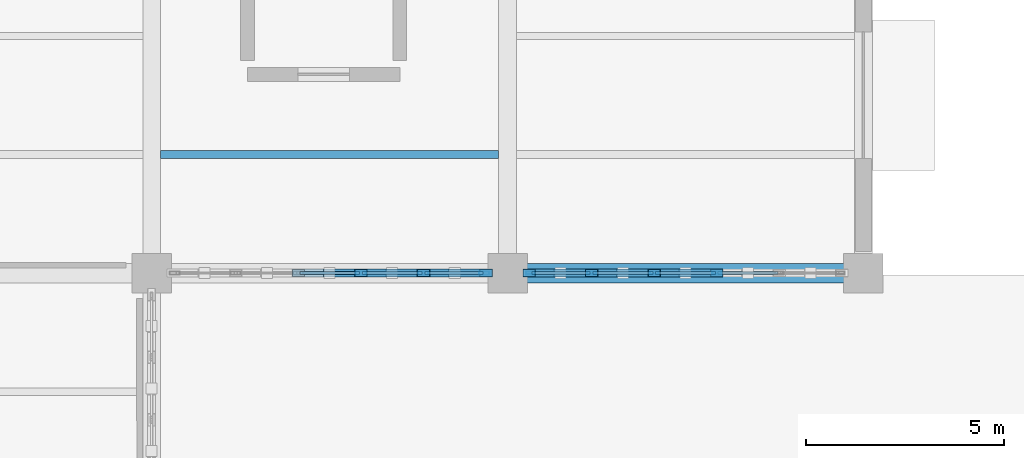
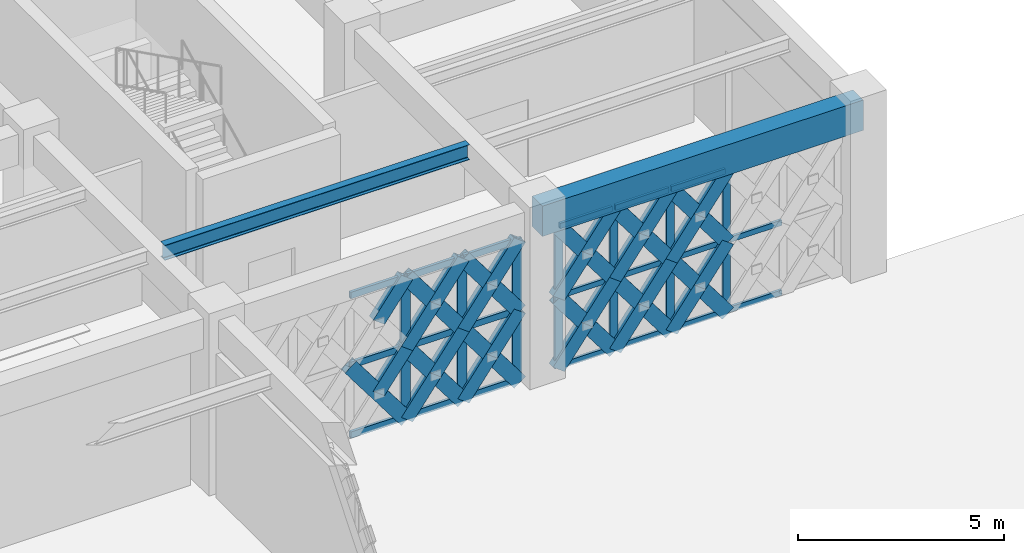
# One storey, part 63 of 140: 60 members, 2 beams, 2 elements without a shape of their own.
"""IFC4 building model written with IfcOpenShell, lengths in metres."""

from ifc_helpers import new_model, si_unit, direction, frame, origin, origin_2d, place, context, subcontext, project, spatial, rectangle, hollow_rectangle, i_section, extrude, material, material_profile, profile_set, type_object, element, aggregate, save


model = new_model("IFC4")

# Units and contexts
model_context = context("Model", 3, precision=1e-05, world=origin(), true_north=direction((0.0, 1.0)))
body_context = subcontext(model_context, "Body", "Model", "MODEL_VIEW")
ifc_project = project(units=[si_unit("LENGTHUNIT", "METRE"), si_unit("AREAUNIT", "SQUARE_METRE"), si_unit("VOLUMEUNIT", "CUBIC_METRE"), si_unit("PLANEANGLEUNIT", "RADIAN"), si_unit("MASSUNIT", "GRAM", prefix="KILO")], contexts=[model_context])

# Site, building, storey
site_placement = place(None, origin())
site = spatial("IfcSite", under=ifc_project, at=site_placement, CompositionType="ELEMENT")
building_placement = place(site_placement, origin())
building = spatial("IfcBuilding", under=site, at=building_placement, Name="Haizhuo Lancet Aquarium", CompositionType="ELEMENT")
storey_placement = place(building_placement, origin())
storey = spatial("IfcBuildingStorey", under=building, at=storey_placement, Name="L00", CompositionType="ELEMENT", Elevation=0.0)

# Beam
ifc_material_1 = material(Name="Concrete C40/50", Category="concrete")
ifc_material_profile_1 = material_profile(ifc_material_1, rectangle(XDim=0.5, YDim=0.89990234375, at=origin_2d()), Name="RC-BM 500x900")
ifc_profile_set_1 = profile_set([ifc_material_profile_1], Name="Concrete C40/50")
beam_type_1 = type_object("IfcBeamType", Name="BM-RC-500x900", PredefinedType="BEAM", material=ifc_profile_set_1)
beam_1_placement = place(storey_placement, frame((18.0, 36.0, 4.669921875), z_axis=(1.0, 0.0, 0.0), x_axis=(0.0, 1.0, 0.0)))
element("IfcBeam", 1, at=beam_1_placement, inside=storey, type_object=beam_type_1, Name="L00 V5 primary girder BM-L00-V5-029", PredefinedType="BEAM", context=body_context, shape_type="SweptSolid", body=[
    extrude(rectangle(XDim=0.5, YDim=0.89990234375, at=origin_2d()), origin(), (0.0, 0.0, 1.0), 9.0),
])

# Curtain wall, members
ifc_material_2 = material(Name="Aluminium 6063-T6", Category="aluminium")
curtain_wall_type = type_object("IfcCurtainWallType", Name="CWD-7910x4220", PredefinedType="NOTDEFINED", material=ifc_material_2)
curtain_wall_1_placement = place(storey_placement, origin())
curtain_wall_1 = element("IfcCurtainWall", 2, at=curtain_wall_1_placement, inside=storey, type_object=curtain_wall_type, Name="L00 curtain wall CW-V5-L00-122", PredefinedType="NOTDEFINED")
ifc_material_profile_2 = material_profile(ifc_material_2, hollow_rectangle(XDim=0.074951171875, YDim=0.219970703125, WallThickness=0.0048828125, at=origin_2d()), Name="ALU-M 75x220x5")
ifc_profile_set_2 = profile_set([ifc_material_profile_2], Name="Aluminium 6063-T6")
member_type_1 = type_object("IfcMemberType", Name="CW-MUL-2", PredefinedType="MULLION", material=ifc_profile_set_2)
member_1_placement = place(storey_placement, frame((23.291015625, 36.0, 0.0), z_axis=(0.0, 0.0, 1.0), x_axis=(0.0, -1.0, 0.0)))
member_1 = element("IfcMember", 3, at=member_1_placement, type_object=member_type_1, Name="CWD-79x42 mullion 3", PredefinedType="MULLION", context=body_context, shape_type="SweptSolid", body=[
    extrude(hollow_rectangle(XDim=0.074951171875, YDim=0.219970703125, WallThickness=0.0048828125, at=origin_2d()), origin(), (0.0, 0.0, 1.0), 4.219970703125),
])
member_2_placement = place(storey_placement, frame((21.708984375, 36.0, 0.0), z_axis=(0.0, 0.0, 1.0), x_axis=(0.0, -1.0, 0.0)))
member_2 = element("IfcMember", 4, at=member_2_placement, type_object=member_type_1, Name="CWD-79x42 mullion 4", PredefinedType="MULLION", context=body_context, shape_type="SweptSolid", body=[
    extrude(hollow_rectangle(XDim=0.074951171875, YDim=0.219970703125, WallThickness=0.0048828125, at=origin_2d()), origin(), (0.0, 0.0, 1.0), 4.219970703125),
])
member_3_placement = place(storey_placement, frame((20.126953125, 36.0, 0.0), z_axis=(0.0, 0.0, 1.0), x_axis=(0.0, -1.0, 0.0)))
member_3 = element("IfcMember", 5, at=member_3_placement, type_object=member_type_1, Name="CWD-79x42 mullion 5", PredefinedType="MULLION", context=body_context, shape_type="SweptSolid", body=[
    extrude(hollow_rectangle(XDim=0.074951171875, YDim=0.219970703125, WallThickness=0.0048828125, at=origin_2d()), origin(), (0.0, 0.0, 1.0), 4.219970703125),
])
member_4_placement = place(storey_placement, frame((18.5830078125, 36.0, 0.0), z_axis=(0.0, 0.0, 1.0), x_axis=(0.0, -1.0, 0.0)))
member_4 = element("IfcMember", 6, at=member_4_placement, type_object=member_type_1, Name="CWD-79x42 mullion 6", PredefinedType="MULLION", context=body_context, shape_type="SweptSolid", body=[
    extrude(hollow_rectangle(XDim=0.074951171875, YDim=0.219970703125, WallThickness=0.0048828125, at=origin_2d()), origin(), (0.0, 0.0, 1.0), 4.219970703125),
])

curtain_wall_2_placement = place(storey_placement, origin())
curtain_wall_2 = element("IfcCurtainWall", 7, at=curtain_wall_2_placement, inside=storey, type_object=curtain_wall_type, Name="L00 curtain wall CW-V5-L00-123", PredefinedType="NOTDEFINED")
ifc_material_profile_3 = material_profile(ifc_material_2, hollow_rectangle(XDim=0.080078125, YDim=0.260009765625, WallThickness=0.0048828125, at=origin_2d()), Name="ALU-M 80x260x5")
ifc_profile_set_3 = profile_set([ifc_material_profile_3], Name="Aluminium 6063-T6")
member_type_2 = type_object("IfcMemberType", Name="CW-MUL-3", PredefinedType="MULLION", material=ifc_profile_set_3)
member_5_placement = place(storey_placement, frame((17.4150390625, 36.0, 0.0), z_axis=(0.0, 0.0, 1.0), x_axis=(0.0, -1.0, 0.0)))
member_5 = element("IfcMember", 8, at=member_5_placement, type_object=member_type_2, Name="CWD-79x42 mullion 1", PredefinedType="MULLION", context=body_context, shape_type="SweptSolid", body=[
    extrude(hollow_rectangle(XDim=0.080078125, YDim=0.260009765625, WallThickness=0.0048828125, at=origin_2d()), origin(), (0.0, 0.0, 1.0), 4.219970703125),
])
member_6_placement = place(storey_placement, frame((15.873046875, 36.0, 0.0), z_axis=(0.0, 0.0, 1.0), x_axis=(0.0, -1.0, 0.0)))
member_6 = element("IfcMember", 9, at=member_6_placement, type_object=member_type_2, Name="CWD-79x42 mullion 2", PredefinedType="MULLION", context=body_context, shape_type="SweptSolid", body=[
    extrude(hollow_rectangle(XDim=0.080078125, YDim=0.260009765625, WallThickness=0.0048828125, at=origin_2d()), origin(), (0.0, 0.0, 1.0), 4.219970703125),
])
member_7_placement = place(storey_placement, frame((14.291015625, 36.0, 0.0), z_axis=(0.0, 0.0, 1.0), x_axis=(0.0, -1.0, 0.0)))
member_7 = element("IfcMember", 10, at=member_7_placement, type_object=member_type_2, Name="CWD-79x42 mullion 3", PredefinedType="MULLION", context=body_context, shape_type="SweptSolid", body=[
    extrude(hollow_rectangle(XDim=0.080078125, YDim=0.260009765625, WallThickness=0.0048828125, at=origin_2d()), origin(), (0.0, 0.0, 1.0), 4.219970703125),
])

# Member
ifc_material_profile_4 = material_profile(ifc_material_2, hollow_rectangle(XDim=0.074951171875, YDim=0.159912109375, WallThickness=0.00390625, at=origin_2d()), Name="ALU-T 75x160x4")
ifc_profile_set_4 = profile_set([ifc_material_profile_4], Name="Aluminium 6063-T6")
member_type_3 = type_object("IfcMemberType", Name="CW-TRN-2", PredefinedType="NOTDEFINED", material=ifc_profile_set_4)
member_8_placement = place(storey_placement, frame((24.8349609375, 36.0, 0.037109375), z_axis=(-1.0, 0.0, 0.0), x_axis=(0.0, -1.0, 0.0)))
member_8 = element("IfcMember", 11, at=member_8_placement, type_object=member_type_3, Name="CWD-79x42 transom 2.1", ObjectType="TRANSOM", PredefinedType="USERDEFINED", context=body_context, shape_type="SweptSolid", body=[
    extrude(hollow_rectangle(XDim=0.074951171875, YDim=0.159912109375, WallThickness=0.00390625, at=origin_2d()), origin(), (0.0, 0.0, 1.0), 1.507080078125),
])

member_9_placement = place(storey_placement, frame((24.8349609375, 36.0, 2.110107421875), z_axis=(-1.0, 0.0, 0.0), x_axis=(0.0, -1.0, 0.0)))
member_9 = element("IfcMember", 12, at=member_9_placement, type_object=member_type_3, Name="CWD-79x42 transom 2.2", ObjectType="TRANSOM", PredefinedType="USERDEFINED", context=body_context, shape_type="SweptSolid", body=[
    extrude(hollow_rectangle(XDim=0.074951171875, YDim=0.159912109375, WallThickness=0.00390625, at=origin_2d()), origin(), (0.0, 0.0, 1.0), 1.507080078125),
])

member_10_placement = place(storey_placement, frame((23.2529296875, 36.0, 0.037109375), z_axis=(-1.0, 0.0, 0.0), x_axis=(0.0, -1.0, 0.0)))
member_10 = element("IfcMember", 13, at=member_10_placement, type_object=member_type_3, Name="CWD-79x42 transom 3.1", ObjectType="TRANSOM", PredefinedType="USERDEFINED", context=body_context, shape_type="SweptSolid", body=[
    extrude(hollow_rectangle(XDim=0.074951171875, YDim=0.159912109375, WallThickness=0.00390625, at=origin_2d()), origin(), (0.0, 0.0, 1.0), 1.5068359375),
])

member_11_placement = place(storey_placement, frame((23.2529296875, 36.0, 2.110107421875), z_axis=(-1.0, 0.0, 0.0), x_axis=(0.0, -1.0, 0.0)))
member_11 = element("IfcMember", 14, at=member_11_placement, type_object=member_type_3, Name="CWD-79x42 transom 3.2", ObjectType="TRANSOM", PredefinedType="USERDEFINED", context=body_context, shape_type="SweptSolid", body=[
    extrude(hollow_rectangle(XDim=0.074951171875, YDim=0.159912109375, WallThickness=0.00390625, at=origin_2d()), origin(), (0.0, 0.0, 1.0), 1.5068359375),
])

member_12_placement = place(storey_placement, frame((23.2529296875, 36.0, 4.18310546875), z_axis=(-1.0, 0.0, 0.0), x_axis=(0.0, -1.0, 0.0)))
member_12 = element("IfcMember", 15, at=member_12_placement, type_object=member_type_3, Name="CWD-79x42 transom 3.3", ObjectType="TRANSOM", PredefinedType="USERDEFINED", context=body_context, shape_type="SweptSolid", body=[
    extrude(hollow_rectangle(XDim=0.074951171875, YDim=0.159912109375, WallThickness=0.00390625, at=origin_2d()), origin(), (0.0, 0.0, 1.0), 1.5068359375),
])

member_13_placement = place(storey_placement, frame((21.672119140625, 36.0, 0.037109375), z_axis=(-1.0, 0.0, 0.0), x_axis=(0.0, -1.0, 0.0)))
member_13 = element("IfcMember", 16, at=member_13_placement, type_object=member_type_3, Name="CWD-79x42 transom 4.1", ObjectType="TRANSOM", PredefinedType="USERDEFINED", context=body_context, shape_type="SweptSolid", body=[
    extrude(hollow_rectangle(XDim=0.074951171875, YDim=0.159912109375, WallThickness=0.00390625, at=origin_2d()), origin(), (0.0, 0.0, 1.0), 1.507080078125),
])

member_14_placement = place(storey_placement, frame((21.672119140625, 36.0, 2.110107421875), z_axis=(-1.0, 0.0, 0.0), x_axis=(0.0, -1.0, 0.0)))
member_14 = element("IfcMember", 17, at=member_14_placement, type_object=member_type_3, Name="CWD-79x42 transom 4.2", ObjectType="TRANSOM", PredefinedType="USERDEFINED", context=body_context, shape_type="SweptSolid", body=[
    extrude(hollow_rectangle(XDim=0.074951171875, YDim=0.159912109375, WallThickness=0.00390625, at=origin_2d()), origin(), (0.0, 0.0, 1.0), 1.507080078125),
])

member_15_placement = place(storey_placement, frame((21.672119140625, 36.0, 4.18310546875), z_axis=(-1.0, 0.0, 0.0), x_axis=(0.0, -1.0, 0.0)))
member_15 = element("IfcMember", 18, at=member_15_placement, type_object=member_type_3, Name="CWD-79x42 transom 4.3", ObjectType="TRANSOM", PredefinedType="USERDEFINED", context=body_context, shape_type="SweptSolid", body=[
    extrude(hollow_rectangle(XDim=0.074951171875, YDim=0.159912109375, WallThickness=0.00390625, at=origin_2d()), origin(), (0.0, 0.0, 1.0), 1.507080078125),
])

member_16_placement = place(storey_placement, frame((20.090087890625, 36.0, 0.037109375), z_axis=(-1.0, 0.0, 0.0), x_axis=(0.0, -1.0, 0.0)))
member_16 = element("IfcMember", 19, at=member_16_placement, type_object=member_type_3, Name="CWD-79x42 transom 5.1", ObjectType="TRANSOM", PredefinedType="USERDEFINED", context=body_context, shape_type="SweptSolid", body=[
    extrude(hollow_rectangle(XDim=0.074951171875, YDim=0.159912109375, WallThickness=0.00390625, at=origin_2d()), origin(), (0.0, 0.0, 1.0), 1.469970703125),
])

member_17_placement = place(storey_placement, frame((20.090087890625, 36.0, 2.110107421875), z_axis=(-1.0, 0.0, 0.0), x_axis=(0.0, -1.0, 0.0)))
member_17 = element("IfcMember", 20, at=member_17_placement, type_object=member_type_3, Name="CWD-79x42 transom 5.2", ObjectType="TRANSOM", PredefinedType="USERDEFINED", context=body_context, shape_type="SweptSolid", body=[
    extrude(hollow_rectangle(XDim=0.074951171875, YDim=0.159912109375, WallThickness=0.00390625, at=origin_2d()), origin(), (0.0, 0.0, 1.0), 1.469970703125),
])

member_18_placement = place(storey_placement, frame((20.090087890625, 36.0, 4.18310546875), z_axis=(-1.0, 0.0, 0.0), x_axis=(0.0, -1.0, 0.0)))
member_18 = element("IfcMember", 21, at=member_18_placement, type_object=member_type_3, Name="CWD-79x42 transom 5.3", ObjectType="TRANSOM", PredefinedType="USERDEFINED", context=body_context, shape_type="SweptSolid", body=[
    extrude(hollow_rectangle(XDim=0.074951171875, YDim=0.159912109375, WallThickness=0.00390625, at=origin_2d()), origin(), (0.0, 0.0, 1.0), 1.469970703125),
])

aggregate(curtain_wall_1, [member_1, member_2, member_3, member_4, member_8, member_9, member_10, member_11, member_12, member_13, member_14, member_15, member_16, member_17, member_18])

ifc_material_profile_5 = material_profile(ifc_material_2, hollow_rectangle(XDim=0.080078125, YDim=0.18994140625, WallThickness=0.0048828125, at=origin_2d()), Name="ALU-T 80x190x5")
ifc_profile_set_5 = profile_set([ifc_material_profile_5], Name="Aluminium 6063-T6")
member_type_4 = type_object("IfcMemberType", Name="CW-TRN-3", PredefinedType="NOTDEFINED", material=ifc_profile_set_5)
member_19_placement = place(storey_placement, frame((17.375, 36.0, 0.0400390625), z_axis=(-1.0, 0.0, 0.0), x_axis=(0.0, -1.0, 0.0)))
member_19 = element("IfcMember", 22, at=member_19_placement, type_object=member_type_4, Name="CWD-79x42 transom 1.1", ObjectType="TRANSOM", PredefinedType="USERDEFINED", context=body_context, shape_type="SweptSolid", body=[
    extrude(hollow_rectangle(XDim=0.080078125, YDim=0.18994140625, WallThickness=0.0048828125, at=origin_2d()), origin(), (0.0, 0.0, 1.0), 1.4619140625),
])

member_20_placement = place(storey_placement, frame((17.375, 36.0, 2.110107421875), z_axis=(-1.0, 0.0, 0.0), x_axis=(0.0, -1.0, 0.0)))
member_20 = element("IfcMember", 23, at=member_20_placement, type_object=member_type_4, Name="CWD-79x42 transom 1.2", ObjectType="TRANSOM", PredefinedType="USERDEFINED", context=body_context, shape_type="SweptSolid", body=[
    extrude(hollow_rectangle(XDim=0.080078125, YDim=0.18994140625, WallThickness=0.0048828125, at=origin_2d()), origin(), (0.0, 0.0, 1.0), 1.4619140625),
])

member_21_placement = place(storey_placement, frame((17.375, 36.0, 4.179931640625), z_axis=(-1.0, 0.0, 0.0), x_axis=(0.0, -1.0, 0.0)))
member_21 = element("IfcMember", 24, at=member_21_placement, type_object=member_type_4, Name="CWD-79x42 transom 1.3", ObjectType="TRANSOM", PredefinedType="USERDEFINED", context=body_context, shape_type="SweptSolid", body=[
    extrude(hollow_rectangle(XDim=0.080078125, YDim=0.18994140625, WallThickness=0.0048828125, at=origin_2d()), origin(), (0.0, 0.0, 1.0), 1.4619140625),
])

member_22_placement = place(storey_placement, frame((15.8330078125, 36.0, 0.0400390625), z_axis=(-1.0, 0.0, 0.0), x_axis=(0.0, -1.0, 0.0)))
member_22 = element("IfcMember", 25, at=member_22_placement, type_object=member_type_4, Name="CWD-79x42 transom 2.1", ObjectType="TRANSOM", PredefinedType="USERDEFINED", context=body_context, shape_type="SweptSolid", body=[
    extrude(hollow_rectangle(XDim=0.080078125, YDim=0.18994140625, WallThickness=0.0048828125, at=origin_2d()), origin(), (0.0, 0.0, 1.0), 1.501953125),
])

member_23_placement = place(storey_placement, frame((15.8330078125, 36.0, 2.110107421875), z_axis=(-1.0, 0.0, 0.0), x_axis=(0.0, -1.0, 0.0)))
member_23 = element("IfcMember", 26, at=member_23_placement, type_object=member_type_4, Name="CWD-79x42 transom 2.2", ObjectType="TRANSOM", PredefinedType="USERDEFINED", context=body_context, shape_type="SweptSolid", body=[
    extrude(hollow_rectangle(XDim=0.080078125, YDim=0.18994140625, WallThickness=0.0048828125, at=origin_2d()), origin(), (0.0, 0.0, 1.0), 1.501953125),
])

member_24_placement = place(storey_placement, frame((15.8330078125, 36.0, 4.179931640625), z_axis=(-1.0, 0.0, 0.0), x_axis=(0.0, -1.0, 0.0)))
member_24 = element("IfcMember", 27, at=member_24_placement, type_object=member_type_4, Name="CWD-79x42 transom 2.3", ObjectType="TRANSOM", PredefinedType="USERDEFINED", context=body_context, shape_type="SweptSolid", body=[
    extrude(hollow_rectangle(XDim=0.080078125, YDim=0.18994140625, WallThickness=0.0048828125, at=origin_2d()), origin(), (0.0, 0.0, 1.0), 1.501953125),
])

member_25_placement = place(storey_placement, frame((14.2509765625, 36.0, 0.0400390625), z_axis=(-1.0, 0.0, 0.0), x_axis=(0.0, -1.0, 0.0)))
member_25 = element("IfcMember", 28, at=member_25_placement, type_object=member_type_4, Name="CWD-79x42 transom 3.1", ObjectType="TRANSOM", PredefinedType="USERDEFINED", context=body_context, shape_type="SweptSolid", body=[
    extrude(hollow_rectangle(XDim=0.080078125, YDim=0.18994140625, WallThickness=0.0048828125, at=origin_2d()), origin(), (0.0, 0.0, 1.0), 1.501953125),
])

member_26_placement = place(storey_placement, frame((14.2509765625, 36.0, 2.110107421875), z_axis=(-1.0, 0.0, 0.0), x_axis=(0.0, -1.0, 0.0)))
member_26 = element("IfcMember", 29, at=member_26_placement, type_object=member_type_4, Name="CWD-79x42 transom 3.2", ObjectType="TRANSOM", PredefinedType="USERDEFINED", context=body_context, shape_type="SweptSolid", body=[
    extrude(hollow_rectangle(XDim=0.080078125, YDim=0.18994140625, WallThickness=0.0048828125, at=origin_2d()), origin(), (0.0, 0.0, 1.0), 1.501953125),
])

member_27_placement = place(storey_placement, frame((14.2509765625, 36.0, 4.179931640625), z_axis=(-1.0, 0.0, 0.0), x_axis=(0.0, -1.0, 0.0)))
member_27 = element("IfcMember", 30, at=member_27_placement, type_object=member_type_4, Name="CWD-79x42 transom 3.3", ObjectType="TRANSOM", PredefinedType="USERDEFINED", context=body_context, shape_type="SweptSolid", body=[
    extrude(hollow_rectangle(XDim=0.080078125, YDim=0.18994140625, WallThickness=0.0048828125, at=origin_2d()), origin(), (0.0, 0.0, 1.0), 1.501953125),
])

aggregate(curtain_wall_2, [member_5, member_6, member_7, member_19, member_20, member_21, member_22, member_23, member_24, member_25, member_26, member_27])

# Beam
ifc_material_3 = material(Name="Steel S355", Category="steel")
ifc_material_profile_6 = material_profile(ifc_material_3, i_section(OverallWidth=0.199951171875, OverallDepth=0.449951171875, WebThickness=0.009033203125, FlangeThickness=0.013916015625, FilletRadius=0.01806640625, at=origin_2d()), Name="HN 450x200x9x14")
ifc_profile_set_6 = profile_set([ifc_material_profile_6], Name="Steel S355")
beam_type_2 = type_object("IfcBeamType", Name="JST-ST-HN450", PredefinedType="JOIST", material=ifc_profile_set_6)
beam_2_placement = place(storey_placement, frame((9.22509765625, 39.0, 4.89501953125), z_axis=(1.0, 0.0, 0.0), x_axis=(0.0, 1.0, 0.0)))
element("IfcBeam", 31, at=beam_2_placement, inside=storey, type_object=beam_type_2, Name="L00 V5 secondary floor joist 20", PredefinedType="JOIST", context=body_context, shape_type="SweptSolid", body=[
    extrude(i_section(OverallWidth=0.199951171875, OverallDepth=0.449951171875, WebThickness=0.009033203125, FlangeThickness=0.013916015625, FilletRadius=0.01806640625, at=origin_2d()), origin(), (0.0, 0.0, 1.0), 8.5498046875),
])

# Members
ifc_material_profile_7 = material_profile(ifc_material_3, hollow_rectangle(XDim=0.199951171875, YDim=0.39990234375, WallThickness=0.011962890625, at=origin_2d()), Name="RHS 200x400x12")
ifc_profile_set_7 = profile_set([ifc_material_profile_7], Name="Steel S355")
member_type_5 = type_object("IfcMemberType", Name="MEM-LB-RHS200x400", PredefinedType="BRACE", material=ifc_profile_set_7)
member_28_placement = place(storey_placement, frame((23.291015625, 36.0, 0.0), z_axis=(-0.599866687962, 0.0, 0.800099966675), x_axis=(0.0, -1.0, 0.0)))
element("IfcMember", 32, at=member_28_placement, inside=storey, type_object=member_type_5, Name="Gothic lancet continuous diagonal brace CW-V5-L00-122 5A", PredefinedType="BRACE", context=body_context, shape_type="SweptSolid", body=[
    extrude(hollow_rectangle(XDim=0.199951171875, YDim=0.39990234375, WallThickness=0.011962890625, at=origin_2d()), origin(), (0.0, 0.0, 1.0), 2.63720703125),
])
member_29_placement = place(storey_placement, frame((21.708984375, 36.0, 0.0), z_axis=(0.599911120576, 0.0, 0.800066651854), x_axis=(0.0, 1.0, 0.0)))
element("IfcMember", 33, at=member_29_placement, inside=storey, type_object=member_type_5, Name="Gothic lancet split diagonal brace CW-V5-L00-122 5B1", PredefinedType="BRACE", context=body_context, shape_type="SweptSolid", body=[
    extrude(hollow_rectangle(XDim=0.199951171875, YDim=0.39990234375, WallThickness=0.011962890625, at=origin_2d()), origin(), (0.0, 0.0, 1.0), 1.318603515625),
])
member_30_placement = place(storey_placement, frame((22.5, 36.0, 1.054931640625), z_axis=(0.59982226008, 0.0, 0.800133274094), x_axis=(0.0, 1.0, 0.0)))
element("IfcMember", 34, at=member_30_placement, inside=storey, type_object=member_type_5, Name="Gothic lancet split diagonal brace CW-V5-L00-122 5B2", PredefinedType="BRACE", context=body_context, shape_type="SweptSolid", body=[
    extrude(hollow_rectangle(XDim=0.199951171875, YDim=0.39990234375, WallThickness=0.011962890625, at=origin_2d()), origin(), (0.0, 0.0, 1.0), 1.31884765625),
])
member_31_placement = place(storey_placement, frame((23.291015625, 36.0, 2.110107421875), z_axis=(-0.599911120576, 0.0, 0.800066651854), x_axis=(0.0, -1.0, 0.0)))
element("IfcMember", 35, at=member_31_placement, inside=storey, type_object=member_type_5, Name="Gothic lancet continuous diagonal brace CW-V5-L00-122 6A", PredefinedType="BRACE", context=body_context, shape_type="SweptSolid", body=[
    extrude(hollow_rectangle(XDim=0.199951171875, YDim=0.39990234375, WallThickness=0.011962890625, at=origin_2d()), origin(), (0.0, 0.0, 1.0), 2.63720703125),
])
for number, where, z_axis, x_axis, name in (
    (36, (21.708984375, 36.0, 2.110107421875), (0.599911120576, 0.0, 0.800066651854), (0.0, 1.0, 0.0), "Gothic lancet split diagonal brace CW-V5-L00-122 6B1"),
    (37, (22.5, 36.0, 3.1650390625), (0.599911120576, 0.0, 0.800066651854), (0.0, 1.0, 0.0), "Gothic lancet split diagonal brace CW-V5-L00-122 6B2"),
):
    element("IfcMember", number, at=place(storey_placement, frame(where, z_axis=z_axis, x_axis=x_axis)), inside=storey, type_object=member_type_5, Name=name, PredefinedType="BRACE", context=body_context, shape_type="SweptSolid", body=[
        extrude(hollow_rectangle(XDim=0.199951171875, YDim=0.39990234375, WallThickness=0.011962890625, at=origin_2d()), origin(), (0.0, 0.0, 1.0), 1.318603515625),
    ])
member_32_placement = place(storey_placement, frame((21.708984375, 36.0, 0.0), z_axis=(-0.599866687962, 0.0, 0.800099966675), x_axis=(0.0, -1.0, 0.0)))
element("IfcMember", 38, at=member_32_placement, inside=storey, type_object=member_type_5, Name="Gothic lancet continuous diagonal brace CW-V5-L00-122 7A", PredefinedType="BRACE", context=body_context, shape_type="SweptSolid", body=[
    extrude(hollow_rectangle(XDim=0.199951171875, YDim=0.39990234375, WallThickness=0.011962890625, at=origin_2d()), origin(), (0.0, 0.0, 1.0), 2.63720703125),
])
member_33_placement = place(storey_placement, frame((20.126953125, 36.0, 0.0), z_axis=(0.599911120576, 0.0, 0.800066651854), x_axis=(0.0, 1.0, 0.0)))
element("IfcMember", 39, at=member_33_placement, inside=storey, type_object=member_type_5, Name="Gothic lancet split diagonal brace CW-V5-L00-122 7B1", PredefinedType="BRACE", context=body_context, shape_type="SweptSolid", body=[
    extrude(hollow_rectangle(XDim=0.199951171875, YDim=0.39990234375, WallThickness=0.011962890625, at=origin_2d()), origin(), (0.0, 0.0, 1.0), 1.318603515625),
])
member_34_placement = place(storey_placement, frame((20.91796875, 36.0, 1.054931640625), z_axis=(0.59982226008, 0.0, 0.800133274094), x_axis=(0.0, 1.0, 0.0)))
element("IfcMember", 40, at=member_34_placement, inside=storey, type_object=member_type_5, Name="Gothic lancet split diagonal brace CW-V5-L00-122 7B2", PredefinedType="BRACE", context=body_context, shape_type="SweptSolid", body=[
    extrude(hollow_rectangle(XDim=0.199951171875, YDim=0.39990234375, WallThickness=0.011962890625, at=origin_2d()), origin(), (0.0, 0.0, 1.0), 1.31884765625),
])
member_35_placement = place(storey_placement, frame((21.708984375, 36.0, 2.110107421875), z_axis=(-0.599911120576, 0.0, 0.800066651854), x_axis=(0.0, -1.0, 0.0)))
element("IfcMember", 41, at=member_35_placement, inside=storey, type_object=member_type_5, Name="Gothic lancet continuous diagonal brace CW-V5-L00-122 8A", PredefinedType="BRACE", context=body_context, shape_type="SweptSolid", body=[
    extrude(hollow_rectangle(XDim=0.199951171875, YDim=0.39990234375, WallThickness=0.011962890625, at=origin_2d()), origin(), (0.0, 0.0, 1.0), 2.63720703125),
])
for number, where, z_axis, x_axis, name in (
    (42, (20.126953125, 36.0, 2.110107421875), (0.599911120576, 0.0, 0.800066651854), (0.0, 1.0, 0.0), "Gothic lancet split diagonal brace CW-V5-L00-122 8B1"),
    (43, (20.91796875, 36.0, 3.1650390625), (0.599911120576, 0.0, 0.800066651854), (0.0, 1.0, 0.0), "Gothic lancet split diagonal brace CW-V5-L00-122 8B2"),
):
    element("IfcMember", number, at=place(storey_placement, frame(where, z_axis=z_axis, x_axis=x_axis)), inside=storey, type_object=member_type_5, Name=name, PredefinedType="BRACE", context=body_context, shape_type="SweptSolid", body=[
        extrude(hollow_rectangle(XDim=0.199951171875, YDim=0.39990234375, WallThickness=0.011962890625, at=origin_2d()), origin(), (0.0, 0.0, 1.0), 1.318603515625),
    ])
member_36_placement = place(storey_placement, frame((20.126953125, 36.0, 0.0), z_axis=(-0.599866687962, 0.0, 0.800099966675), x_axis=(0.0, -1.0, 0.0)))
element("IfcMember", 44, at=member_36_placement, inside=storey, type_object=member_type_5, Name="Gothic lancet continuous diagonal brace CW-V5-L00-122 9A", PredefinedType="BRACE", context=body_context, shape_type="SweptSolid", body=[
    extrude(hollow_rectangle(XDim=0.199951171875, YDim=0.39990234375, WallThickness=0.011962890625, at=origin_2d()), origin(), (0.0, 0.0, 1.0), 2.63720703125),
])
member_37_placement = place(storey_placement, frame((18.544921875, 36.0, 0.0), z_axis=(0.599911120576, 0.0, 0.800066651854), x_axis=(0.0, 1.0, 0.0)))
element("IfcMember", 45, at=member_37_placement, inside=storey, type_object=member_type_5, Name="Gothic lancet split diagonal brace CW-V5-L00-122 9B1", PredefinedType="BRACE", context=body_context, shape_type="SweptSolid", body=[
    extrude(hollow_rectangle(XDim=0.199951171875, YDim=0.39990234375, WallThickness=0.011962890625, at=origin_2d()), origin(), (0.0, 0.0, 1.0), 1.318603515625),
])
member_38_placement = place(storey_placement, frame((19.3359375, 36.0, 1.054931640625), z_axis=(0.59982226008, 0.0, 0.800133274094), x_axis=(0.0, 1.0, 0.0)))
element("IfcMember", 46, at=member_38_placement, inside=storey, type_object=member_type_5, Name="Gothic lancet split diagonal brace CW-V5-L00-122 9B2", PredefinedType="BRACE", context=body_context, shape_type="SweptSolid", body=[
    extrude(hollow_rectangle(XDim=0.199951171875, YDim=0.39990234375, WallThickness=0.011962890625, at=origin_2d()), origin(), (0.0, 0.0, 1.0), 1.31884765625),
])
member_39_placement = place(storey_placement, frame((20.126953125, 36.0, 2.110107421875), z_axis=(-0.599911120576, 0.0, 0.800066651854), x_axis=(0.0, -1.0, 0.0)))
element("IfcMember", 47, at=member_39_placement, inside=storey, type_object=member_type_5, Name="Gothic lancet continuous diagonal brace CW-V5-L00-122 10A", PredefinedType="BRACE", context=body_context, shape_type="SweptSolid", body=[
    extrude(hollow_rectangle(XDim=0.199951171875, YDim=0.39990234375, WallThickness=0.011962890625, at=origin_2d()), origin(), (0.0, 0.0, 1.0), 2.63720703125),
])
for number, where, z_axis, x_axis, name in (
    (48, (18.544921875, 36.0, 2.110107421875), (0.599911120576, 0.0, 0.800066651854), (0.0, 1.0, 0.0), "Gothic lancet split diagonal brace CW-V5-L00-122 10B1"),
    (49, (19.3359375, 36.0, 3.1650390625), (0.599911120576, 0.0, 0.800066651854), (0.0, 1.0, 0.0), "Gothic lancet split diagonal brace CW-V5-L00-122 10B2"),
):
    element("IfcMember", number, at=place(storey_placement, frame(where, z_axis=z_axis, x_axis=x_axis)), inside=storey, type_object=member_type_5, Name=name, PredefinedType="BRACE", context=body_context, shape_type="SweptSolid", body=[
        extrude(hollow_rectangle(XDim=0.199951171875, YDim=0.39990234375, WallThickness=0.011962890625, at=origin_2d()), origin(), (0.0, 0.0, 1.0), 1.318603515625),
    ])
member_40_placement = place(storey_placement, frame((17.455078125, 36.0, 0.0), z_axis=(-0.599866687962, 0.0, 0.800099966675), x_axis=(0.0, -1.0, 0.0)))
element("IfcMember", 50, at=member_40_placement, inside=storey, type_object=member_type_5, Name="Gothic lancet continuous diagonal brace CW-V5-L00-123 1A", PredefinedType="BRACE", context=body_context, shape_type="SweptSolid", body=[
    extrude(hollow_rectangle(XDim=0.199951171875, YDim=0.39990234375, WallThickness=0.011962890625, at=origin_2d()), origin(), (0.0, 0.0, 1.0), 2.63720703125),
])
member_41_placement = place(storey_placement, frame((15.873046875, 36.0, 0.0), z_axis=(0.599911120576, 0.0, 0.800066651854), x_axis=(0.0, 1.0, 0.0)))
element("IfcMember", 51, at=member_41_placement, inside=storey, type_object=member_type_5, Name="Gothic lancet split diagonal brace CW-V5-L00-123 1B1", PredefinedType="BRACE", context=body_context, shape_type="SweptSolid", body=[
    extrude(hollow_rectangle(XDim=0.199951171875, YDim=0.39990234375, WallThickness=0.011962890625, at=origin_2d()), origin(), (0.0, 0.0, 1.0), 1.318603515625),
])
member_42_placement = place(storey_placement, frame((16.6640625, 36.0, 1.054931640625), z_axis=(0.59982226008, 0.0, 0.800133274094), x_axis=(0.0, 1.0, 0.0)))
element("IfcMember", 52, at=member_42_placement, inside=storey, type_object=member_type_5, Name="Gothic lancet split diagonal brace CW-V5-L00-123 1B2", PredefinedType="BRACE", context=body_context, shape_type="SweptSolid", body=[
    extrude(hollow_rectangle(XDim=0.199951171875, YDim=0.39990234375, WallThickness=0.011962890625, at=origin_2d()), origin(), (0.0, 0.0, 1.0), 1.31884765625),
])
member_43_placement = place(storey_placement, frame((17.455078125, 36.0, 2.110107421875), z_axis=(-0.599911120576, 0.0, 0.800066651854), x_axis=(0.0, -1.0, 0.0)))
element("IfcMember", 53, at=member_43_placement, inside=storey, type_object=member_type_5, Name="Gothic lancet continuous diagonal brace CW-V5-L00-123 2A", PredefinedType="BRACE", context=body_context, shape_type="SweptSolid", body=[
    extrude(hollow_rectangle(XDim=0.199951171875, YDim=0.39990234375, WallThickness=0.011962890625, at=origin_2d()), origin(), (0.0, 0.0, 1.0), 2.63720703125),
])
for number, where, z_axis, x_axis, name in (
    (54, (15.873046875, 36.0, 2.110107421875), (0.599911120576, 0.0, 0.800066651854), (0.0, 1.0, 0.0), "Gothic lancet split diagonal brace CW-V5-L00-123 2B1"),
    (55, (16.6640625, 36.0, 3.1650390625), (0.599911120576, 0.0, 0.800066651854), (0.0, 1.0, 0.0), "Gothic lancet split diagonal brace CW-V5-L00-123 2B2"),
):
    element("IfcMember", number, at=place(storey_placement, frame(where, z_axis=z_axis, x_axis=x_axis)), inside=storey, type_object=member_type_5, Name=name, PredefinedType="BRACE", context=body_context, shape_type="SweptSolid", body=[
        extrude(hollow_rectangle(XDim=0.199951171875, YDim=0.39990234375, WallThickness=0.011962890625, at=origin_2d()), origin(), (0.0, 0.0, 1.0), 1.318603515625),
    ])
member_44_placement = place(storey_placement, frame((15.873046875, 36.0, 0.0), z_axis=(-0.599866687962, 0.0, 0.800099966675), x_axis=(0.0, -1.0, 0.0)))
element("IfcMember", 56, at=member_44_placement, inside=storey, type_object=member_type_5, Name="Gothic lancet continuous diagonal brace CW-V5-L00-123 3A", PredefinedType="BRACE", context=body_context, shape_type="SweptSolid", body=[
    extrude(hollow_rectangle(XDim=0.199951171875, YDim=0.39990234375, WallThickness=0.011962890625, at=origin_2d()), origin(), (0.0, 0.0, 1.0), 2.63720703125),
])
member_45_placement = place(storey_placement, frame((14.291015625, 36.0, 0.0), z_axis=(0.599911120576, 0.0, 0.800066651854), x_axis=(0.0, 1.0, 0.0)))
element("IfcMember", 57, at=member_45_placement, inside=storey, type_object=member_type_5, Name="Gothic lancet split diagonal brace CW-V5-L00-123 3B1", PredefinedType="BRACE", context=body_context, shape_type="SweptSolid", body=[
    extrude(hollow_rectangle(XDim=0.199951171875, YDim=0.39990234375, WallThickness=0.011962890625, at=origin_2d()), origin(), (0.0, 0.0, 1.0), 1.318603515625),
])
member_46_placement = place(storey_placement, frame((15.08203125, 36.0, 1.054931640625), z_axis=(0.59982226008, 0.0, 0.800133274094), x_axis=(0.0, 1.0, 0.0)))
element("IfcMember", 58, at=member_46_placement, inside=storey, type_object=member_type_5, Name="Gothic lancet split diagonal brace CW-V5-L00-123 3B2", PredefinedType="BRACE", context=body_context, shape_type="SweptSolid", body=[
    extrude(hollow_rectangle(XDim=0.199951171875, YDim=0.39990234375, WallThickness=0.011962890625, at=origin_2d()), origin(), (0.0, 0.0, 1.0), 1.31884765625),
])
member_47_placement = place(storey_placement, frame((15.873046875, 36.0, 2.110107421875), z_axis=(-0.599911120576, 0.0, 0.800066651854), x_axis=(0.0, -1.0, 0.0)))
element("IfcMember", 59, at=member_47_placement, inside=storey, type_object=member_type_5, Name="Gothic lancet continuous diagonal brace CW-V5-L00-123 4A", PredefinedType="BRACE", context=body_context, shape_type="SweptSolid", body=[
    extrude(hollow_rectangle(XDim=0.199951171875, YDim=0.39990234375, WallThickness=0.011962890625, at=origin_2d()), origin(), (0.0, 0.0, 1.0), 2.63720703125),
])
for number, where, z_axis, x_axis, name in (
    (60, (14.291015625, 36.0, 2.110107421875), (0.599911120576, 0.0, 0.800066651854), (0.0, 1.0, 0.0), "Gothic lancet split diagonal brace CW-V5-L00-123 4B1"),
    (61, (15.08203125, 36.0, 3.1650390625), (0.599911120576, 0.0, 0.800066651854), (0.0, 1.0, 0.0), "Gothic lancet split diagonal brace CW-V5-L00-123 4B2"),
):
    element("IfcMember", number, at=place(storey_placement, frame(where, z_axis=z_axis, x_axis=x_axis)), inside=storey, type_object=member_type_5, Name=name, PredefinedType="BRACE", context=body_context, shape_type="SweptSolid", body=[
        extrude(hollow_rectangle(XDim=0.199951171875, YDim=0.39990234375, WallThickness=0.011962890625, at=origin_2d()), origin(), (0.0, 0.0, 1.0), 1.318603515625),
    ])
member_48_placement = place(storey_placement, frame((14.291015625, 36.0, 0.0), z_axis=(-0.599866687962, 0.0, 0.800099966675), x_axis=(0.0, -1.0, 0.0)))
element("IfcMember", 62, at=member_48_placement, inside=storey, type_object=member_type_5, Name="Gothic lancet continuous diagonal brace CW-V5-L00-123 5A", PredefinedType="BRACE", context=body_context, shape_type="SweptSolid", body=[
    extrude(hollow_rectangle(XDim=0.199951171875, YDim=0.39990234375, WallThickness=0.011962890625, at=origin_2d()), origin(), (0.0, 0.0, 1.0), 2.63720703125),
])
member_49_placement = place(storey_placement, frame((13.5, 36.0, 1.054931640625), z_axis=(0.59982226008, 0.0, 0.800133274094), x_axis=(0.0, 1.0, 0.0)))
element("IfcMember", 63, at=member_49_placement, inside=storey, type_object=member_type_5, Name="Gothic lancet split diagonal brace CW-V5-L00-123 5B2", PredefinedType="BRACE", context=body_context, shape_type="SweptSolid", body=[
    extrude(hollow_rectangle(XDim=0.199951171875, YDim=0.39990234375, WallThickness=0.011962890625, at=origin_2d()), origin(), (0.0, 0.0, 1.0), 1.31884765625),
])
member_50_placement = place(storey_placement, frame((13.5, 36.0, 3.1650390625), z_axis=(0.599911120576, 0.0, 0.800066651854), x_axis=(0.0, 1.0, 0.0)))
element("IfcMember", 64, at=member_50_placement, inside=storey, type_object=member_type_5, Name="Gothic lancet split diagonal brace CW-V5-L00-123 6B2", PredefinedType="BRACE", context=body_context, shape_type="SweptSolid", body=[
    extrude(hollow_rectangle(XDim=0.199951171875, YDim=0.39990234375, WallThickness=0.011962890625, at=origin_2d()), origin(), (0.0, 0.0, 1.0), 1.318603515625),
])

save(model, "model.ifc")
